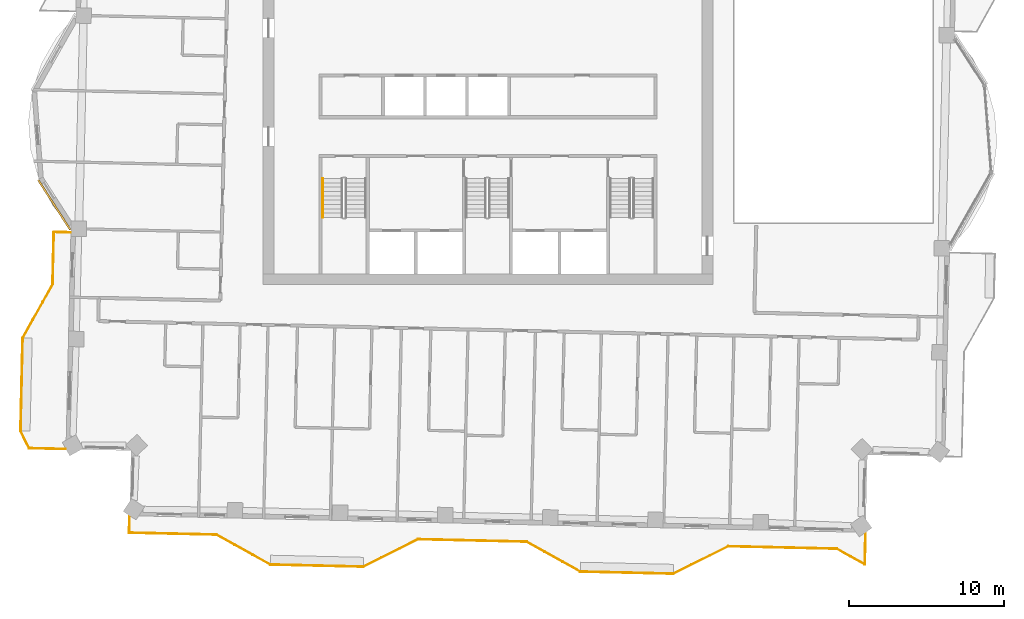
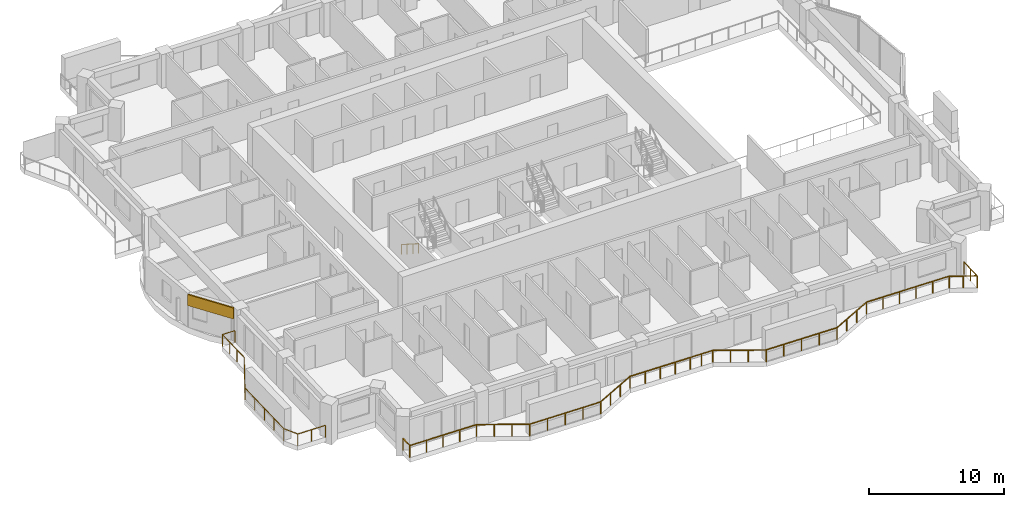
# One storey, part 14 of 17: 3 railings, 1 covering.
"""IFC4 building model written with IfcOpenShell, lengths in metres."""

from ifc_helpers import new_model, si_unit, direction, frame, frame_2d, origin, origin_2d, place, context, subcontext, project, spatial, rectangle, circle, extrude, material, layer, layer_set, type_object, element, save


model = new_model("IFC4")

# Units and contexts
model_context = context("Model", 3, precision=1e-05, world=origin(), true_north=direction((0.0, 1.0)))
body_context = subcontext(model_context, "Body", "Model", "MODEL_VIEW")
ifc_project = project(units=[si_unit("LENGTHUNIT", "METRE"), si_unit("AREAUNIT", "SQUARE_METRE"), si_unit("VOLUMEUNIT", "CUBIC_METRE"), si_unit("PLANEANGLEUNIT", "RADIAN"), si_unit("MASSUNIT", "GRAM", prefix="KILO")], contexts=[model_context])

# Site, building, storey
site_placement = place(None, origin())
site = spatial("IfcSite", under=ifc_project, at=site_placement, CompositionType="ELEMENT")
building_placement = place(site_placement, origin())
building = spatial("IfcBuilding", under=site, at=building_placement, Name="Mangrove Gate Tower", CompositionType="ELEMENT")
storey_placement = place(building_placement, frame((0.0, 0.0, 260.89990234375)))
storey = spatial("IfcBuildingStorey", under=building, at=storey_placement, Name="L66", CompositionType="ELEMENT", Elevation=260.89990234375)

# Railings
ifc_material_1 = material(Name="Stainless steel grade 316 with laminated glass infill", Category="steel")
railing_type_1 = type_object("IfcRailingType", Name="Balcony guard 1100", PredefinedType="GUARDRAIL", material=ifc_material_1)
railing_1_placement = place(storey_placement, frame((-26.929931640625, -8.1298828125, 0.0)))
element("IfcRailing", 1, at=railing_1_placement, inside=storey, type_object=railing_type_1, Name="GUARD L66 W2", PredefinedType="GUARDRAIL", context=body_context, shape_type="SweptSolid", body=[
    extrude(rectangle(XDim=0.048095703125, YDim=0.048095703125, at=origin_2d()), frame((0.0, 0.0, 1.076171875), z_axis=(-0.999745389313, 0.022564497502, 0.0), x_axis=(-0.022564497502, -0.999745389313, 0.0)), (0.0, 0.0, 1.0), 1.060302734375),
    extrude(rectangle(XDim=0.048095703125, YDim=0.048095703125, at=origin_2d()), frame((-1.06005859375, 0.02392578125, 1.076171875), z_axis=(-0.02278713509, -0.999740339525, 0.0), x_axis=(0.999740339525, -0.02278713509, 0.0)), (0.0, 0.0, 1.0), 3.375),
    extrude(rectangle(XDim=0.048095703125, YDim=0.048095703125, at=origin_2d()), frame((-1.136962890625, -3.35009765625, 1.076171875), z_axis=(-0.487307108654, -0.873230657876, 0.0), x_axis=(0.873230657876, -0.487307108654, 0.0)), (0.0, 0.0, 1.0), 3.958984375),
    extrude(rectangle(XDim=0.048095703125, YDim=0.048095703125, at=origin_2d()), frame((-3.066162109375, -6.80712890625, 1.076171875), z_axis=(-0.022665943652, -0.999743094499, 0.0), x_axis=(0.999743094499, -0.022665943652, 0.0)), (0.0, 0.0, 1.0), 5.99951171875),
    extrude(rectangle(XDim=0.048095703125, YDim=0.048095703125, at=origin_2d()), frame((-3.2021484375, -12.80517578125, 1.076171875), z_axis=(0.447605845075, -0.894230958676, 0.0), x_axis=(0.894230958676, 0.447605845075, 0.0)), (0.0, 0.0, 1.0), 1.24462890625),
    extrude(rectangle(XDim=0.048095703125, YDim=0.048095703125, at=origin_2d()), frame((-2.64501953125, -13.918212890625, 1.076171875), z_axis=(0.999741131377, -0.022752367646, 0.0), x_axis=(0.022752367646, 0.999741131377, 0.0)), (0.0, 0.0, 1.0), 2.328369140625),
    extrude(rectangle(XDim=0.0419921875, YDim=0.0419921875, at=origin_2d()), origin(), (0.0, 0.0, 1.0), 1.052001953125),
    extrude(rectangle(XDim=0.0419921875, YDim=0.0419921875, at=origin_2d()), frame((-1.06005859375, 0.02392578125, 0.0)), (0.0, 0.0, 1.0), 1.052001953125),
    extrude(rectangle(XDim=0.0419921875, YDim=0.0419921875, at=origin_2d()), frame((-1.085693359375, -1.100830078125, 0.0)), (0.0, 0.0, 1.0), 1.052001953125),
    extrude(rectangle(XDim=0.0419921875, YDim=0.0419921875, at=origin_2d()), frame((-1.111328125, -2.225341796875, 0.0)), (0.0, 0.0, 1.0), 1.052001953125),
    extrude(rectangle(XDim=0.0419921875, YDim=0.0419921875, at=origin_2d()), frame((-1.136962890625, -3.35009765625, 0.0)), (0.0, 0.0, 1.0), 1.052001953125),
    extrude(rectangle(XDim=0.0419921875, YDim=0.0419921875, at=origin_2d()), frame((-1.780029296875, -4.50244140625, 0.0)), (0.0, 0.0, 1.0), 1.052001953125),
    extrude(rectangle(XDim=0.0419921875, YDim=0.0419921875, at=origin_2d()), frame((-2.423095703125, -5.65478515625, 0.0)), (0.0, 0.0, 1.0), 1.052001953125),
    extrude(rectangle(XDim=0.0419921875, YDim=0.0419921875, at=origin_2d()), frame((-3.066162109375, -6.80712890625, 0.0)), (0.0, 0.0, 1.0), 1.052001953125),
    extrude(rectangle(XDim=0.0419921875, YDim=0.0419921875, at=origin_2d()), frame((-3.10009765625, -8.306640625, 0.0)), (0.0, 0.0, 1.0), 1.052001953125),
    extrude(rectangle(XDim=0.0419921875, YDim=0.0419921875, at=origin_2d()), frame((-3.13427734375, -9.80615234375, 0.0)), (0.0, 0.0, 1.0), 1.052001953125),
    extrude(rectangle(XDim=0.0419921875, YDim=0.0419921875, at=origin_2d()), frame((-3.168212890625, -11.3056640625, 0.0)), (0.0, 0.0, 1.0), 1.052001953125),
    extrude(rectangle(XDim=0.0419921875, YDim=0.0419921875, at=origin_2d()), frame((-3.2021484375, -12.80517578125, 0.0)), (0.0, 0.0, 1.0), 1.052001953125),
    extrude(rectangle(XDim=0.0419921875, YDim=0.0419921875, at=origin_2d()), frame((-2.64501953125, -13.918212890625, 0.0)), (0.0, 0.0, 1.0), 1.052001953125),
    extrude(rectangle(XDim=0.0419921875, YDim=0.0419921875, at=origin_2d()), frame((-1.48095703125, -13.94482421875, 0.0)), (0.0, 0.0, 1.0), 1.052001953125),
    extrude(rectangle(XDim=0.0419921875, YDim=0.0419921875, at=origin_2d()), frame((-0.317138671875, -13.97119140625, 0.0)), (0.0, 0.0, 1.0), 1.052001953125),
])
railing_2_placement = place(storey_placement, frame((-23.10498046875, -26.43603515625, 0.0)))
element("IfcRailing", 2, at=railing_2_placement, inside=storey, type_object=railing_type_1, Name="GUARD L66 S1", PredefinedType="GUARDRAIL", context=body_context, shape_type="SweptSolid", body=[
    extrude(rectangle(XDim=0.048095703125, YDim=0.048095703125, at=origin_2d()), frame((0.0, 0.0, 1.076171875), z_axis=(-0.022564497502, -0.999745389313, 0.0), x_axis=(0.999745389313, -0.022564497502, 0.0)), (0.0, 0.0, 1.0), 1.060302734375),
    extrude(rectangle(XDim=0.048095703125, YDim=0.048095703125, at=origin_2d()), frame((-0.02392578125, -1.06005859375, 1.076171875), z_axis=(0.999746310693, -0.022523637692, 0.0), x_axis=(0.022523637692, 0.999746310693, 0.0)), (0.0, 0.0, 1.0), 5.636474609375),
    extrude(rectangle(XDim=0.048095703125, YDim=0.048095703125, at=origin_2d()), frame((5.611083984375, -1.18701171875, 1.076171875), z_axis=(0.873242256246, -0.487286324359, 0.0), x_axis=(0.487286324359, 0.873242256246, 0.0)), (0.0, 0.0, 1.0), 3.95849609375),
    extrude(rectangle(XDim=0.048095703125, YDim=0.048095703125, at=origin_2d()), frame((9.06787109375, -3.115966796875, 1.076171875), z_axis=(0.999739392852, -0.022828630714, 0.0), x_axis=(0.022828630714, 0.999739392852, 0.0)), (0.0, 0.0, 1.0), 5.99951171875),
    extrude(rectangle(XDim=0.048095703125, YDim=0.048095703125, at=origin_2d()), frame((15.06591796875, -3.2529296875, 1.076171875), z_axis=(0.894427191, 0.4472135955, 0.0), x_axis=(-0.4472135955, 0.894427191, 0.0)), (0.0, 0.0, 1.0), 3.9599609375),
    extrude(rectangle(XDim=0.048095703125, YDim=0.048095703125, at=origin_2d()), frame((18.60791015625, -1.48193359375, 1.076171875), z_axis=(0.999741390457, -0.022740980771, 0.0), x_axis=(0.022740980771, 0.999741390457, 0.0)), (0.0, 0.0, 1.0), 5.099365234375),
    extrude(rectangle(XDim=0.048095703125, YDim=0.048095703125, at=origin_2d()), frame((23.7060546875, -1.597900390625, 1.076171875), z_axis=(0.999744349692, -0.022610512149, 0.0), x_axis=(0.022610512149, 0.999744349692, 0.0)), (0.0, 0.0, 1.0), 1.900390625),
    extrude(rectangle(XDim=0.048095703125, YDim=0.048095703125, at=origin_2d()), frame((25.60595703125, -1.640869140625, 1.076171875), z_axis=(0.873230657876, -0.487307108654, 0.0), x_axis=(0.487307108654, 0.873230657876, 0.0)), (0.0, 0.0, 1.0), 3.958984375),
    extrude(rectangle(XDim=0.048095703125, YDim=0.048095703125, at=origin_2d()), frame((29.06298828125, -3.570068359375, 1.076171875), z_axis=(0.999743094499, -0.022665943652, 0.0), x_axis=(0.022665943652, 0.999743094499, 0.0)), (0.0, 0.0, 1.0), 5.99951171875),
    extrude(rectangle(XDim=0.048095703125, YDim=0.048095703125, at=origin_2d()), frame((35.06103515625, -3.7060546875, 1.076171875), z_axis=(0.894476522376, 0.447114919141, 0.0), x_axis=(-0.447114919141, 0.894476522376, 0.0)), (0.0, 0.0, 1.0), 3.958740234375),
    extrude(rectangle(XDim=0.048095703125, YDim=0.048095703125, at=origin_2d()), frame((38.60205078125, -1.93603515625, 1.076171875), z_axis=(0.999742267452, -0.022702393474, 0.0), x_axis=(0.022702393474, 0.999742267452, 0.0)), (0.0, 0.0, 1.0), 7.000732421875),
    extrude(rectangle(XDim=0.048095703125, YDim=0.048095703125, at=origin_2d()), frame((45.60107421875, -2.094970703125, 1.076171875), z_axis=(0.873184900727, -0.487389094198, 0.0), x_axis=(0.487389094198, 0.873184900727, 0.0)), (0.0, 0.0, 1.0), 2.076171875),
    extrude(rectangle(XDim=0.048095703125, YDim=0.048095703125, at=origin_2d()), frame((47.4140625, -3.10693359375, 1.076171875), z_axis=(0.022603964591, 0.999744497752, 0.0), x_axis=(-0.999744497752, 0.022603964591, 0.0)), (0.0, 0.0, 1.0), 2.030517578125),
    extrude(rectangle(XDim=0.0419921875, YDim=0.0419921875, at=origin_2d()), origin(), (0.0, 0.0, 1.0), 1.052001953125),
    extrude(rectangle(XDim=0.0419921875, YDim=0.0419921875, at=origin_2d()), frame((-0.02392578125, -1.06005859375, 0.0)), (0.0, 0.0, 1.0), 1.052001953125),
    extrude(rectangle(XDim=0.0419921875, YDim=0.0419921875, at=origin_2d()), frame((1.384765625, -1.091796875, 0.0)), (0.0, 0.0, 1.0), 1.052001953125),
    extrude(rectangle(XDim=0.0419921875, YDim=0.0419921875, at=origin_2d()), frame((2.79345703125, -1.12353515625, 0.0)), (0.0, 0.0, 1.0), 1.052001953125),
    extrude(rectangle(XDim=0.0419921875, YDim=0.0419921875, at=origin_2d()), frame((4.202392578125, -1.1552734375, 0.0)), (0.0, 0.0, 1.0), 1.052001953125),
    extrude(rectangle(XDim=0.0419921875, YDim=0.0419921875, at=origin_2d()), frame((5.611083984375, -1.18701171875, 0.0)), (0.0, 0.0, 1.0), 1.052001953125),
    extrude(rectangle(XDim=0.0419921875, YDim=0.0419921875, at=origin_2d()), frame((6.763427734375, -1.830078125, 0.0)), (0.0, 0.0, 1.0), 1.052001953125),
    extrude(rectangle(XDim=0.0419921875, YDim=0.0419921875, at=origin_2d()), frame((7.91552734375, -2.472900390625, 0.0)), (0.0, 0.0, 1.0), 1.052001953125),
    extrude(rectangle(XDim=0.0419921875, YDim=0.0419921875, at=origin_2d()), frame((9.06787109375, -3.115966796875, 0.0)), (0.0, 0.0, 1.0), 1.052001953125),
    extrude(rectangle(XDim=0.0419921875, YDim=0.0419921875, at=origin_2d()), frame((10.5673828125, -3.150146484375, 0.0)), (0.0, 0.0, 1.0), 1.052001953125),
    extrude(rectangle(XDim=0.0419921875, YDim=0.0419921875, at=origin_2d()), frame((12.06689453125, -3.1845703125, 0.0)), (0.0, 0.0, 1.0), 1.052001953125),
    extrude(rectangle(XDim=0.0419921875, YDim=0.0419921875, at=origin_2d()), frame((13.56640625, -3.21875, 0.0)), (0.0, 0.0, 1.0), 1.052001953125),
    extrude(rectangle(XDim=0.0419921875, YDim=0.0419921875, at=origin_2d()), frame((15.06591796875, -3.2529296875, 0.0)), (0.0, 0.0, 1.0), 1.052001953125),
    extrude(rectangle(XDim=0.0419921875, YDim=0.0419921875, at=origin_2d()), frame((16.24658203125, -2.66259765625, 0.0)), (0.0, 0.0, 1.0), 1.052001953125),
    extrude(rectangle(XDim=0.0419921875, YDim=0.0419921875, at=origin_2d()), frame((17.42724609375, -2.072265625, 0.0)), (0.0, 0.0, 1.0), 1.052001953125),
    extrude(rectangle(XDim=0.0419921875, YDim=0.0419921875, at=origin_2d()), frame((18.60791015625, -1.48193359375, 0.0)), (0.0, 0.0, 1.0), 1.052001953125),
    extrude(rectangle(XDim=0.0419921875, YDim=0.0419921875, at=origin_2d()), frame((19.88232421875, -1.510986328125, 0.0)), (0.0, 0.0, 1.0), 1.052001953125),
    extrude(rectangle(XDim=0.0419921875, YDim=0.0419921875, at=origin_2d()), frame((21.156982421875, -1.5400390625, 0.0)), (0.0, 0.0, 1.0), 1.052001953125),
    extrude(rectangle(XDim=0.0419921875, YDim=0.0419921875, at=origin_2d()), frame((22.431640625, -1.56884765625, 0.0)), (0.0, 0.0, 1.0), 1.052001953125),
    extrude(rectangle(XDim=0.0419921875, YDim=0.0419921875, at=origin_2d()), frame((23.7060546875, -1.597900390625, 0.0)), (0.0, 0.0, 1.0), 1.052001953125),
    extrude(rectangle(XDim=0.0419921875, YDim=0.0419921875, at=origin_2d()), frame((24.656005859375, -1.619384765625, 0.0)), (0.0, 0.0, 1.0), 1.052001953125),
    extrude(rectangle(XDim=0.0419921875, YDim=0.0419921875, at=origin_2d()), frame((25.60595703125, -1.640869140625, 0.0)), (0.0, 0.0, 1.0), 1.052001953125),
    extrude(rectangle(XDim=0.0419921875, YDim=0.0419921875, at=origin_2d()), frame((26.75830078125, -2.283935546875, 0.0)), (0.0, 0.0, 1.0), 1.052001953125),
    extrude(rectangle(XDim=0.0419921875, YDim=0.0419921875, at=origin_2d()), frame((27.91064453125, -2.927001953125, 0.0)), (0.0, 0.0, 1.0), 1.052001953125),
    extrude(rectangle(XDim=0.0419921875, YDim=0.0419921875, at=origin_2d()), frame((29.06298828125, -3.570068359375, 0.0)), (0.0, 0.0, 1.0), 1.052001953125),
    extrude(rectangle(XDim=0.0419921875, YDim=0.0419921875, at=origin_2d()), frame((30.5625, -3.60400390625, 0.0)), (0.0, 0.0, 1.0), 1.052001953125),
    extrude(rectangle(XDim=0.0419921875, YDim=0.0419921875, at=origin_2d()), frame((32.06201171875, -3.63818359375, 0.0)), (0.0, 0.0, 1.0), 1.052001953125),
    extrude(rectangle(XDim=0.0419921875, YDim=0.0419921875, at=origin_2d()), frame((33.5615234375, -3.672119140625, 0.0)), (0.0, 0.0, 1.0), 1.052001953125),
    extrude(rectangle(XDim=0.0419921875, YDim=0.0419921875, at=origin_2d()), frame((35.06103515625, -3.7060546875, 0.0)), (0.0, 0.0, 1.0), 1.052001953125),
    extrude(rectangle(XDim=0.0419921875, YDim=0.0419921875, at=origin_2d()), frame((36.241455078125, -3.115966796875, 0.0)), (0.0, 0.0, 1.0), 1.052001953125),
    extrude(rectangle(XDim=0.0419921875, YDim=0.0419921875, at=origin_2d()), frame((37.421630859375, -2.526123046875, 0.0)), (0.0, 0.0, 1.0), 1.052001953125),
    extrude(rectangle(XDim=0.0419921875, YDim=0.0419921875, at=origin_2d()), frame((38.60205078125, -1.93603515625, 0.0)), (0.0, 0.0, 1.0), 1.052001953125),
    extrude(rectangle(XDim=0.0419921875, YDim=0.0419921875, at=origin_2d()), frame((40.001953125, -1.9677734375, 0.0)), (0.0, 0.0, 1.0), 1.052001953125),
    extrude(rectangle(XDim=0.0419921875, YDim=0.0419921875, at=origin_2d()), frame((41.401611328125, -1.99951171875, 0.0)), (0.0, 0.0, 1.0), 1.052001953125),
    extrude(rectangle(XDim=0.0419921875, YDim=0.0419921875, at=origin_2d()), frame((42.801513671875, -2.031494140625, 0.0)), (0.0, 0.0, 1.0), 1.052001953125),
    extrude(rectangle(XDim=0.0419921875, YDim=0.0419921875, at=origin_2d()), frame((44.201171875, -2.063232421875, 0.0)), (0.0, 0.0, 1.0), 1.052001953125),
    extrude(rectangle(XDim=0.0419921875, YDim=0.0419921875, at=origin_2d()), frame((45.60107421875, -2.094970703125, 0.0)), (0.0, 0.0, 1.0), 1.052001953125),
    extrude(rectangle(XDim=0.0419921875, YDim=0.0419921875, at=origin_2d()), frame((46.507568359375, -2.60107421875, 0.0)), (0.0, 0.0, 1.0), 1.052001953125),
    extrude(rectangle(XDim=0.0419921875, YDim=0.0419921875, at=origin_2d()), frame((47.4140625, -3.10693359375, 0.0)), (0.0, 0.0, 1.0), 1.052001953125),
    extrude(rectangle(XDim=0.0419921875, YDim=0.0419921875, at=origin_2d()), frame((47.43701171875, -2.091796875, 0.0)), (0.0, 0.0, 1.0), 1.052001953125),
    extrude(rectangle(XDim=0.0419921875, YDim=0.0419921875, at=origin_2d()), frame((47.4599609375, -1.076904296875, 0.0)), (0.0, 0.0, 1.0), 1.052001953125),
])
ifc_material_2 = material(Name="Stainless steel 316", Category="steel")
railing_type_2 = type_object("IfcRailingType", Name="Core stair handrail 900", PredefinedType="HANDRAIL", material=ifc_material_2)
railing_3_placement = place(storey_placement, frame((-10.64990234375, -4.64990234375, 0.18017578125)))
element("IfcRailing", 3, at=railing_3_placement, inside=storey, type_object=railing_type_2, Name="L66 ST1 stair handrail 1", PredefinedType="HANDRAIL", context=body_context, shape_type="SweptSolid", body=[
    extrude(circle(Radius=0.02392578125, at=origin_2d()), frame((0.0, 0.0, 0.8759765625), z_axis=(0.0, -0.841199657755, 0.540724639528), x_axis=(1.0, 0.0, 0.0)), (0.0, 0.0, 1.0), 2.995849609375),
    extrude(circle(Radius=0.02099609375, at=origin_2d()), origin(), (0.0, 0.0, 1.0), 0.851806640625),
    extrude(circle(Radius=0.02099609375, at=origin_2d()), frame((0.0, -0.840087890625, 0.5400390625)), (0.0, 0.0, 1.0), 0.851806640625),
    extrude(circle(Radius=0.02099609375, at=origin_2d()), frame((0.0, -1.679931640625, 1.079833984375)), (0.0, 0.0, 1.0), 0.851806640625),
    extrude(circle(Radius=0.02099609375, at=origin_2d()), frame((0.0, -2.52001953125, 1.619873046875)), (0.0, 0.0, 1.0), 0.851806640625),
])

# Covering
ifc_material_3 = material(Name="Limestone", Category="masonry")
ifc_layer_1 = layer(ifc_material_3, 0.0400390625, Name="Limestone cladding")
ifc_material_4 = material(Name="Stainless steel anchors and cavity", Category="steel")
ifc_layer_2 = layer(ifc_material_4, 0.080078125, Name="Fixing cavity")
ifc_layer_set = layer_set([ifc_layer_1, ifc_layer_2], Name="Joint fascia cladding 120")
covering_type = type_object("IfcCoveringType", Name="Joint fascia cladding 120", PredefinedType="CLADDING", material=ifc_layer_set)
covering_placement = place(storey_placement, frame((-28.9951171875, -4.7470703125, 2.050048828125), z_axis=(0.0, 0.0, 1.0), x_axis=(0.540647704351, -0.841249106853, 0.0)))
element("IfcCovering", 4, at=covering_placement, inside=storey, type_object=covering_type, Name="STONE FASCIA L66 W9.L2", PredefinedType="CLADDING", context=body_context, shape_type="SweptSolid", body=[
    extrude(rectangle(XDim=3.818115234375, YDim=0.1201171875, at=frame_2d((1.9091796875, 0.0))), origin(), (0.0, 0.0, 1.0), 1.0),
])

save(model, "model.ifc")
